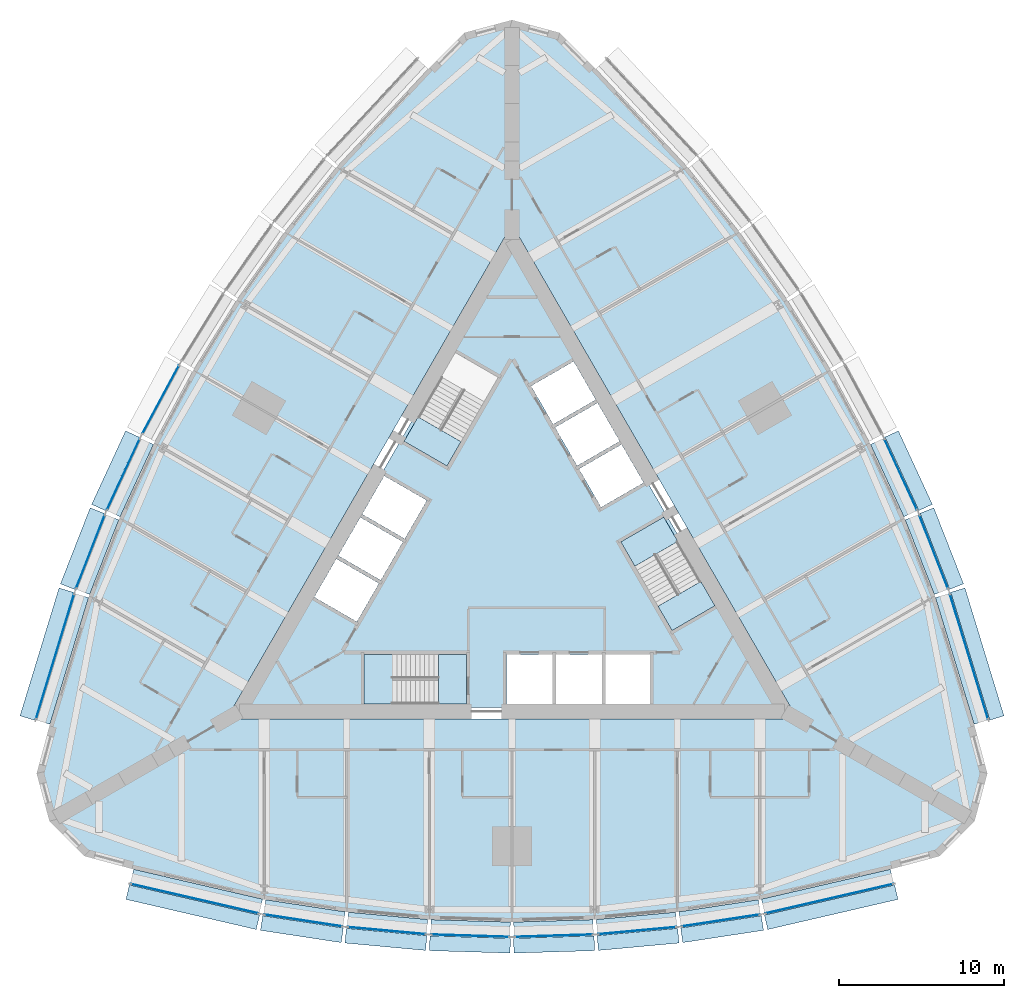
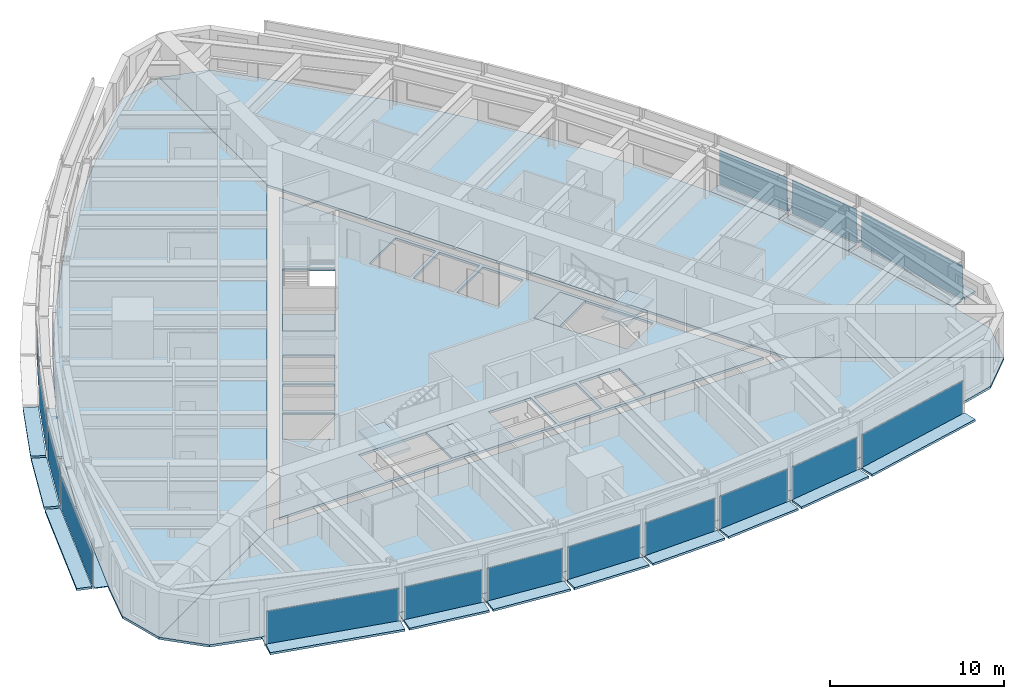
# One storey, part 6 of 14: 43 plates, 9 slabs, 18 elements without a shape of their own.
"""IFC4 building model written with IfcOpenShell, lengths in metres."""

from ifc_helpers import new_model, si_unit, direction, frame, origin, origin_2d, place, context, subcontext, project, spatial, polyline, rectangle, outline, extrude, material, layer, layer_set, type_object, element, aggregate, save


model = new_model("IFC4")

# Units and contexts
model_context = context("Model", 3, precision=1e-05, world=origin(), true_north=direction((0.0, 1.0)))
body_context = subcontext(model_context, "Body", "Model", "MODEL_VIEW")
ifc_project = project(units=[si_unit("LENGTHUNIT", "METRE"), si_unit("AREAUNIT", "SQUARE_METRE"), si_unit("VOLUMEUNIT", "CUBIC_METRE"), si_unit("PLANEANGLEUNIT", "RADIAN"), si_unit("MASSUNIT", "GRAM", prefix="KILO")], contexts=[model_context])

# Site, building, storey
site_placement = place(None, origin())
site = spatial("IfcSite", under=ifc_project, at=site_placement, CompositionType="ELEMENT")
building_placement = place(site_placement, origin())
building = spatial("IfcBuilding", under=site, at=building_placement, Name="Trikona Tower", CompositionType="ELEMENT")
storey_placement = place(building_placement, frame((0.0, 0.0, 99.89990234375)))
storey = spatial("IfcBuildingStorey", under=building, at=storey_placement, Name="L26", CompositionType="ELEMENT", Elevation=99.89990234375)

# Plates
ifc_material_1 = material(Name="Aluminium bar grating", Category="aluminium")
ifc_layer_1 = layer(ifc_material_1, 0.050048828125)
ifc_layer_set_1 = layer_set([ifc_layer_1], Name="Cavity catwalk grating")
plate_type_1 = type_object("IfcPlateType", Name="Cavity catwalk grating", PredefinedType="USERDEFINED", material=ifc_layer_set_1)
plate_1_placement = place(storey_placement, frame((-19.09228515625, -20.377197265625, -0.0498046875), z_axis=(0.0, 0.0, 1.0), x_axis=(0.974277718622, -0.225350675607, 0.0)))
element("IfcPlate", 1, at=plate_1_placement, inside=storey, type_object=plate_type_1, Name="Cavity catwalk L26-00", ObjectType="CATWALK GRATING", PredefinedType="USERDEFINED", context=body_context, shape_type="SweptSolid", body=[
    extrude(rectangle(XDim=8.01123046875, YDim=0.820068359375, at=origin_2d()), origin(), (0.0, 0.0, 1.0), 0.050048828125),
])
plate_2_placement = place(storey_placement, frame((-12.561767578125, -21.688720703125, -0.0498046875), z_axis=(0.0, 0.0, 1.0), x_axis=(0.988617896768, -0.150448177754, 0.0)))
element("IfcPlate", 2, at=plate_2_placement, inside=storey, type_object=plate_type_1, Name="Cavity catwalk L26-01", ObjectType="CATWALK GRATING", PredefinedType="USERDEFINED", context=body_context, shape_type="SweptSolid", body=[
    extrude(rectangle(XDim=4.857666015625, YDim=0.820068359375, at=origin_2d()), origin(), (0.0, 0.0, 1.0), 0.050048828125),
])
plate_3_placement = place(storey_placement, frame((-7.537353515625, -22.300537109375, -0.0498046875), z_axis=(0.0, 0.0, 1.0), x_axis=(0.995858098326, -0.090921108655, 0.0)))
element("IfcPlate", 3, at=plate_3_placement, inside=storey, type_object=plate_type_1, Name="Cavity catwalk L26-02", ObjectType="CATWALK GRATING", PredefinedType="USERDEFINED", context=body_context, shape_type="SweptSolid", body=[
    extrude(rectangle(XDim=4.82080078125, YDim=0.820068359375, at=origin_2d()), origin(), (0.0, 0.0, 1.0), 0.050048828125),
])
for number, where, z_axis, x_axis, name in (
    (4, (-2.512451171875, -22.606201171875, -0.0498046875), (0.0, 0.0, 1.0), (0.999537048889, -0.030425119525, 0.0), "Cavity catwalk L26-03"),
    (5, (2.512451171875, -22.606201171875, -0.0498046875), (0.0, 0.0, 1.0), (0.999537048889, 0.030425119525, 0.0), "Cavity catwalk L26-04"),
):
    element("IfcPlate", number, at=place(storey_placement, frame(where, z_axis=z_axis, x_axis=x_axis)), inside=storey, type_object=plate_type_1, Name=name, ObjectType="CATWALK GRATING", PredefinedType="USERDEFINED", context=body_context, shape_type="SweptSolid", body=[
        extrude(rectangle(XDim=4.80224609375, YDim=0.820068359375, at=origin_2d()), origin(), (0.0, 0.0, 1.0), 0.050048828125),
    ])
plate_4_placement = place(storey_placement, frame((7.537353515625, -22.300537109375, -0.0498046875), z_axis=(0.0, 0.0, 1.0), x_axis=(0.995858098326, 0.090921108655, 0.0)))
element("IfcPlate", 6, at=plate_4_placement, inside=storey, type_object=plate_type_1, Name="Cavity catwalk L26-05", ObjectType="CATWALK GRATING", PredefinedType="USERDEFINED", context=body_context, shape_type="SweptSolid", body=[
    extrude(rectangle(XDim=4.82080078125, YDim=0.820068359375, at=origin_2d()), origin(), (0.0, 0.0, 1.0), 0.050048828125),
])
plate_5_placement = place(storey_placement, frame((12.561767578125, -21.688720703125, -0.0498046875), z_axis=(0.0, 0.0, 1.0), x_axis=(0.988617896768, 0.150448177754, 0.0)))
element("IfcPlate", 7, at=plate_5_placement, inside=storey, type_object=plate_type_1, Name="Cavity catwalk L26-06", ObjectType="CATWALK GRATING", PredefinedType="USERDEFINED", context=body_context, shape_type="SweptSolid", body=[
    extrude(rectangle(XDim=4.857666015625, YDim=0.820068359375, at=origin_2d()), origin(), (0.0, 0.0, 1.0), 0.050048828125),
])
for number, where, z_axis, x_axis, name in (
    (8, (19.09228515625, -20.377197265625, -0.0498046875), (0.0, 0.0, 1.0), (0.974277718622, 0.225350675607, 0.0), "Cavity catwalk L26-07"),
    (9, (27.193359375, -6.345947265625, -0.0498046875), (0.0, 0.0, 1.0), (-0.291979449475, 0.956424592471, 0.0), "Cavity catwalk L26-12"),
):
    element("IfcPlate", number, at=place(storey_placement, frame(where, z_axis=z_axis, x_axis=x_axis)), inside=storey, type_object=plate_type_1, Name=name, ObjectType="CATWALK GRATING", PredefinedType="USERDEFINED", context=body_context, shape_type="SweptSolid", body=[
        extrude(rectangle(XDim=8.01123046875, YDim=0.820068359375, at=origin_2d()), origin(), (0.0, 0.0, 1.0), 0.050048828125),
    ])
plate_6_placement = place(storey_placement, frame((25.06396484375, -0.034423828125, -0.0498046875), z_axis=(0.0, 0.0, 1.0), x_axis=(-0.364008876551, 0.931395478726, 0.0)))
element("IfcPlate", 10, at=plate_6_placement, inside=storey, type_object=plate_type_1, Name="Cavity catwalk L26-13", ObjectType="CATWALK GRATING", PredefinedType="USERDEFINED", context=body_context, shape_type="SweptSolid", body=[
    extrude(rectangle(XDim=4.857666015625, YDim=0.820068359375, at=origin_2d()), origin(), (0.0, 0.0, 1.0), 0.050048828125),
])
for number, where, z_axis, x_axis, name in (
    (11, (23.081298828125, 4.622802734375, -0.0498046875), (0.0, 0.0, 1.0), (-0.41919381307, 0.907896771161, 0.0), "Cavity catwalk L26-14"),
    (12, (-23.081298828125, 4.622802734375, -0.0498046875), (0.0, 0.0, 1.0), (-0.41919381307, -0.907896771161, 0.0), "Cavity catwalk L26-29"),
):
    element("IfcPlate", number, at=place(storey_placement, frame(where, z_axis=z_axis, x_axis=x_axis)), inside=storey, type_object=plate_type_1, Name=name, ObjectType="CATWALK GRATING", PredefinedType="USERDEFINED", context=body_context, shape_type="SweptSolid", body=[
        extrude(rectangle(XDim=4.82080078125, YDim=0.820068359375, at=origin_2d()), origin(), (0.0, 0.0, 1.0), 0.050048828125),
    ])
plate_7_placement = place(storey_placement, frame((-25.06396484375, -0.034423828125, -0.0498046875), z_axis=(0.0, 0.0, 1.0), x_axis=(-0.364008876551, -0.931395478726, 0.0)))
element("IfcPlate", 13, at=plate_7_placement, inside=storey, type_object=plate_type_1, Name="Cavity catwalk L26-30", ObjectType="CATWALK GRATING", PredefinedType="USERDEFINED", context=body_context, shape_type="SweptSolid", body=[
    extrude(rectangle(XDim=4.857666015625, YDim=0.820068359375, at=origin_2d()), origin(), (0.0, 0.0, 1.0), 0.050048828125),
])
plate_8_placement = place(storey_placement, frame((-27.193359375, -6.345947265625, -0.0498046875), z_axis=(0.0, 0.0, 1.0), x_axis=(-0.291979449475, -0.956424592471, 0.0)))
element("IfcPlate", 14, at=plate_8_placement, inside=storey, type_object=plate_type_1, Name="Cavity catwalk L26-31", ObjectType="CATWALK GRATING", PredefinedType="USERDEFINED", context=body_context, shape_type="SweptSolid", body=[
    extrude(rectangle(XDim=8.01123046875, YDim=0.820068359375, at=origin_2d()), origin(), (0.0, 0.0, 1.0), 0.050048828125),
])

# Slabs
ifc_material_2 = material(Name="Concrete f'c 5000 psi lightweight on composite steel deck", Category="concrete")
ifc_layer_2 = layer(ifc_material_2, 0.1650390625)
ifc_layer_set_2 = layer_set([ifc_layer_2], Name="Composite floor slab 165")
slab_type_1 = type_object("IfcSlabType", Name="Composite floor slab 165", PredefinedType="FLOOR", material=ifc_layer_set_2)
slab_1_placement = place(storey_placement, frame((0.0, 0.0, -0.164794921875)))
element("IfcSlab", 15, at=slab_1_placement, inside=storey, type_object=slab_type_1, Name="Floor slab L26 core", PredefinedType="FLOOR", context=body_context, shape_type="SweptSolid", body=[
    extrude(outline(polyline([(-16.06689453125, -9.2763671875), (16.06689453125, -9.2763671875), (0.0, 18.552490234375), (-16.06689453125, -9.2763671875)]), holes=[polyline([(12.285400390625, -3.126220703125), (9.185302734375, 2.2431640625), (6.587158203125, 0.7431640625), (9.687255859375, -4.626220703125), (12.285400390625, -3.126220703125)]), polyline([(8.340087890625, -9.06640625), (8.340087890625, -6.086181640625), (5.659912109375, -6.086181640625), (5.659912109375, -9.06640625), (8.340087890625, -9.06640625)]), polyline([(5.390869140625, 2.835205078125), (7.9716796875, 4.3251953125), (6.631591796875, 6.646240234375), (4.05078125, 5.15625), (5.390869140625, 2.835205078125)]), polyline([(2.600830078125, 7.667724609375), (3.94091796875, 5.3466796875), (6.521484375, 6.8369140625), (5.181640625, 9.15771484375), (2.600830078125, 7.667724609375)]), polyline([(5.43994140625, -6.086181640625), (2.659912109375, -6.086181640625), (2.659912109375, -9.06640625), (5.43994140625, -9.06640625), (5.43994140625, -6.086181640625)]), polyline([(3.731689453125, 11.669189453125), (1.15087890625, 10.17919921875), (2.490966796875, 7.858154296875), (5.071533203125, 9.34814453125), (3.731689453125, 11.669189453125)]), polyline([(-0.340087890625, -6.086181640625), (-0.340087890625, -9.06640625), (2.43994140625, -9.06640625), (2.43994140625, -6.086181640625), (-0.340087890625, -6.086181640625)]), polyline([(-3.435302734375, 12.202392578125), (-6.535400390625, 6.8330078125), (-3.937255859375, 5.3330078125), (-0.837158203125, 10.702392578125), (-3.435302734375, 12.202392578125)]), polyline([(-8.949951171875, -9.076416015625), (-2.75, -9.076416015625), (-2.75, -6.076416015625), (-8.949951171875, -6.076416015625), (-8.949951171875, -9.076416015625)]), polyline([(-5.15087890625, 3.2509765625), (-7.731689453125, 4.740966796875), (-9.071533203125, 2.419921875), (-6.490966796875, 0.929931640625), (-5.15087890625, 3.2509765625)]), polyline([(-7.94091796875, -1.581298828125), (-6.600830078125, 0.739501953125), (-9.181640625, 2.2294921875), (-10.521484375, -0.09130859375), (-7.94091796875, -1.581298828125)]), polyline([(-11.9716796875, -2.602783203125), (-9.390869140625, -4.093017578125), (-8.05078125, -1.77197265625), (-10.631591796875, -0.281982421875), (-11.9716796875, -2.602783203125)])]), origin(), (0.0, 0.0, 1.0), 0.164794921875),
])
slab_2_placement = place(storey_placement, frame((0.0, 0.0, -0.164794921875)))
element("IfcSlab", 16, at=slab_2_placement, inside=storey, type_object=slab_type_1, Name="Floor slab L26 south", PredefinedType="FLOOR", context=body_context, shape_type="SweptSolid", body=[
    extrude(outline(polyline([(25.88671875, -18.279052734375), (28.0, -16.165771484375), (17.279296875, -9.976318359375), (-17.279296875, -9.976318359375), (-28.0, -16.165771484375), (-25.88671875, -18.279052734375), (-23.0, -19.052490234375), (-15.0, -20.903076171875), (-10.0, -21.663818359375), (-5.0, -22.120361328125), (0.0, -22.272705078125), (5.0, -22.120361328125), (10.0, -21.663818359375), (15.0, -20.903076171875), (23.0, -19.052490234375), (25.88671875, -18.279052734375)])), origin(), (0.0, 0.0, 1.0), 0.164794921875),
])
slab_3_placement = place(storey_placement, frame((0.0, 0.0, -0.164794921875)))
element("IfcSlab", 17, at=slab_3_placement, inside=storey, type_object=slab_type_1, Name="Floor slab L26 north-east", PredefinedType="FLOOR", context=body_context, shape_type="SweptSolid", body=[
    extrude(outline(polyline([(2.88671875, 31.55810546875), (0.0, 32.33154296875), (0.0, 19.95263671875), (17.279296875, -9.976318359375), (28.0, -16.165771484375), (28.7734375, -13.279052734375), (28.0, -10.392333984375), (25.6025390625, -2.538818359375), (23.761474609375, 2.171630859375), (21.65673828125, 6.72998046875), (19.28857421875, 11.13623046875), (16.65673828125, 15.390380859375), (13.761474609375, 19.4921875), (10.6025390625, 23.44189453125), (5.0, 29.44482421875), (2.88671875, 31.55810546875)])), origin(), (0.0, 0.0, 1.0), 0.164794921875),
])
slab_4_placement = place(storey_placement, frame((0.0, 0.0, -0.164794921875)))
element("IfcSlab", 18, at=slab_4_placement, inside=storey, type_object=slab_type_1, Name="Floor slab L26 north-west", PredefinedType="FLOOR", context=body_context, shape_type="SweptSolid", body=[
    extrude(outline(polyline([(0.0, 19.95263671875), (0.0, 32.33154296875), (-2.88671875, 31.55810546875), (-5.0, 29.44482421875), (-10.6025390625, 23.44189453125), (-13.761474609375, 19.4921875), (-16.65673828125, 15.390380859375), (-19.28857421875, 11.13623046875), (-21.65673828125, 6.72998046875), (-23.761474609375, 2.171630859375), (-25.6025390625, -2.538818359375), (-28.0, -10.392333984375), (-28.7734375, -13.279052734375), (-28.0, -16.165771484375), (-17.279296875, -9.976318359375), (0.0, 19.95263671875)])), origin(), (0.0, 0.0, 1.0), 0.164794921875),
])

# Curtain wall, plate
ifc_material_3 = material(Name="Aluminium curtain wall system", Category="aluminium")
curtain_wall_type = type_object("IfcCurtainWallType", Name="Curtain wall DS1S", PredefinedType="NOTDEFINED", material=ifc_material_3)
curtain_wall_1_placement = place(storey_placement, origin())
curtain_wall_1 = element("IfcCurtainWall", 19, at=curtain_wall_1_placement, inside=storey, type_object=curtain_wall_type, Name="Curtain wall DS1S L26", PredefinedType="NOTDEFINED")
ifc_material_4 = material(Name="Laminated clear glass", Category="glass")
ifc_layer_3 = layer(ifc_material_4, 0.028076171875)
ifc_layer_set_3 = layer_set([ifc_layer_3], Name="Glass panel DS1S")
plate_type_2 = type_object("IfcPlateType", Name="Glass panel DS1S", PredefinedType="CURTAIN_PANEL", material=ifc_layer_set_3)
plate_9_placement = place(storey_placement, frame((-19.202880859375, -20.854736328125, 0.000244140625), z_axis=(0.0, 0.0, 1.0), x_axis=(0.974279427173, -0.225343288756, 0.0)))
plate_9 = element("IfcPlate", 20, at=plate_9_placement, type_object=plate_type_2, Name="CW-DS1S panel 1.1", PredefinedType="CURTAIN_PANEL", context=body_context, shape_type="SweptSolid", body=[
    extrude(rectangle(XDim=7.93115234375, YDim=0.028076171875, at=origin_2d()), origin(), (0.0, 0.0, 1.0), 2.39990234375),
])
aggregate(curtain_wall_1, [plate_9])

curtain_wall_2_placement = place(storey_placement, origin())
curtain_wall_2 = element("IfcCurtainWall", 21, at=curtain_wall_2_placement, inside=storey, type_object=curtain_wall_type, Name="Curtain wall DS1S L26", PredefinedType="NOTDEFINED")
plate_10_placement = place(storey_placement, frame((-12.635498046875, -22.173095703125, 0.000244140625), z_axis=(0.0, 0.0, 1.0), x_axis=(0.988619492156, -0.150437693845, 0.0)))
plate_10 = element("IfcPlate", 22, at=plate_10_placement, type_object=plate_type_2, Name="CW-DS1S panel 1.1", PredefinedType="CURTAIN_PANEL", context=body_context, shape_type="SweptSolid", body=[
    extrude(rectangle(XDim=4.777587890625, YDim=0.028076171875, at=origin_2d()), origin(), (0.0, 0.0, 1.0), 2.39990234375),
])
aggregate(curtain_wall_2, [plate_10])

curtain_wall_3_placement = place(storey_placement, origin())
curtain_wall_3 = element("IfcCurtainWall", 23, at=curtain_wall_3_placement, inside=storey, type_object=curtain_wall_type, Name="Curtain wall DS1S L26", PredefinedType="NOTDEFINED")
plate_11_placement = place(storey_placement, frame((-7.581787109375, -22.788330078125, 0.000244140625), z_axis=(0.0, 0.0, 1.0), x_axis=(0.995857840485, -0.090923932737, 0.0)))
plate_11 = element("IfcPlate", 24, at=plate_11_placement, type_object=plate_type_2, Name="CW-DS1S panel 1.1", PredefinedType="CURTAIN_PANEL", context=body_context, shape_type="SweptSolid", body=[
    extrude(rectangle(XDim=4.74072265625, YDim=0.028076171875, at=origin_2d()), origin(), (0.0, 0.0, 1.0), 2.39990234375),
])
aggregate(curtain_wall_3, [plate_11])

curtain_wall_4_placement = place(storey_placement, origin())
curtain_wall_4 = element("IfcCurtainWall", 25, at=curtain_wall_4_placement, inside=storey, type_object=curtain_wall_type, Name="Curtain wall DS1S L26", PredefinedType="NOTDEFINED")
plate_12_placement = place(storey_placement, frame((-2.52734375, -23.09619140625, 0.000244140625), z_axis=(0.0, 0.0, 1.0), x_axis=(0.999536695965, -0.030436711692, 0.0)))
plate_12 = element("IfcPlate", 26, at=plate_12_placement, type_object=plate_type_2, Name="CW-DS1S panel 1.1", PredefinedType="CURTAIN_PANEL", context=body_context, shape_type="SweptSolid", body=[
    extrude(rectangle(XDim=4.72216796875, YDim=0.028076171875, at=origin_2d()), origin(), (0.0, 0.0, 1.0), 2.39990234375),
])
aggregate(curtain_wall_4, [plate_12])

curtain_wall_5_placement = place(storey_placement, origin())
curtain_wall_5 = element("IfcCurtainWall", 27, at=curtain_wall_5_placement, inside=storey, type_object=curtain_wall_type, Name="Curtain wall DS1S L26", PredefinedType="NOTDEFINED")
plate_13_placement = place(storey_placement, frame((2.52734375, -23.09619140625, 0.000244140625), z_axis=(0.0, 0.0, 1.0), x_axis=(0.999536695965, 0.030436711692, 0.0)))
plate_13 = element("IfcPlate", 28, at=plate_13_placement, type_object=plate_type_2, Name="CW-DS1S panel 1.1", PredefinedType="CURTAIN_PANEL", context=body_context, shape_type="SweptSolid", body=[
    extrude(rectangle(XDim=4.72216796875, YDim=0.028076171875, at=origin_2d()), origin(), (0.0, 0.0, 1.0), 2.39990234375),
])
aggregate(curtain_wall_5, [plate_13])

curtain_wall_6_placement = place(storey_placement, origin())
curtain_wall_6 = element("IfcCurtainWall", 29, at=curtain_wall_6_placement, inside=storey, type_object=curtain_wall_type, Name="Curtain wall DS1S L26", PredefinedType="NOTDEFINED")
plate_14_placement = place(storey_placement, frame((7.581787109375, -22.788330078125, 0.000244140625), z_axis=(0.0, 0.0, 1.0), x_axis=(0.995857840485, 0.090923932737, 0.0)))
plate_14 = element("IfcPlate", 30, at=plate_14_placement, type_object=plate_type_2, Name="CW-DS1S panel 1.1", PredefinedType="CURTAIN_PANEL", context=body_context, shape_type="SweptSolid", body=[
    extrude(rectangle(XDim=4.74072265625, YDim=0.028076171875, at=origin_2d()), origin(), (0.0, 0.0, 1.0), 2.39990234375),
])
aggregate(curtain_wall_6, [plate_14])

curtain_wall_7_placement = place(storey_placement, origin())
curtain_wall_7 = element("IfcCurtainWall", 31, at=curtain_wall_7_placement, inside=storey, type_object=curtain_wall_type, Name="Curtain wall DS1S L26", PredefinedType="NOTDEFINED")
plate_15_placement = place(storey_placement, frame((12.635498046875, -22.173095703125, 0.000244140625), z_axis=(0.0, 0.0, 1.0), x_axis=(0.988619492156, 0.150437693845, 0.0)))
plate_15 = element("IfcPlate", 32, at=plate_15_placement, type_object=plate_type_2, Name="CW-DS1S panel 1.1", PredefinedType="CURTAIN_PANEL", context=body_context, shape_type="SweptSolid", body=[
    extrude(rectangle(XDim=4.777587890625, YDim=0.028076171875, at=origin_2d()), origin(), (0.0, 0.0, 1.0), 2.39990234375),
])
aggregate(curtain_wall_7, [plate_15])

curtain_wall_8_placement = place(storey_placement, origin())
curtain_wall_8 = element("IfcCurtainWall", 33, at=curtain_wall_8_placement, inside=storey, type_object=curtain_wall_type, Name="Curtain wall DS1S L26", PredefinedType="NOTDEFINED")
plate_16_placement = place(storey_placement, frame((19.202880859375, -20.854736328125, 0.000244140625), z_axis=(0.0, 0.0, 1.0), x_axis=(0.974279427173, 0.225343288756, 0.0)))
plate_16 = element("IfcPlate", 34, at=plate_16_placement, type_object=plate_type_2, Name="CW-DS1S panel 1.1", PredefinedType="CURTAIN_PANEL", context=body_context, shape_type="SweptSolid", body=[
    extrude(rectangle(XDim=7.93115234375, YDim=0.028076171875, at=origin_2d()), origin(), (0.0, 0.0, 1.0), 2.39990234375),
])
aggregate(curtain_wall_8, [plate_16])

curtain_wall_9_placement = place(storey_placement, origin())
curtain_wall_9 = element("IfcCurtainWall", 35, at=curtain_wall_9_placement, inside=storey, type_object=curtain_wall_type, Name="Curtain wall DS1S L26", PredefinedType="NOTDEFINED")
plate_17_placement = place(storey_placement, frame((27.662109375, -6.202880859375, 0.000244140625), z_axis=(0.0, 0.0, 1.0), x_axis=(-0.291984287868, 0.956423115383, 0.0)))
plate_17 = element("IfcPlate", 36, at=plate_17_placement, type_object=plate_type_2, Name="CW-DS1S panel 1.1", PredefinedType="CURTAIN_PANEL", context=body_context, shape_type="SweptSolid", body=[
    extrude(rectangle(XDim=7.93115234375, YDim=0.028076171875, at=origin_2d()), origin(), (0.0, 0.0, 1.0), 2.39990234375),
])
aggregate(curtain_wall_9, [plate_17])

curtain_wall_10_placement = place(storey_placement, origin())
curtain_wall_10 = element("IfcCurtainWall", 37, at=curtain_wall_10_placement, inside=storey, type_object=curtain_wall_type, Name="Curtain wall DS1S L26", PredefinedType="NOTDEFINED")
plate_18_placement = place(storey_placement, frame((25.520263671875, 0.14404296875, 0.000244140625), z_axis=(0.0, 0.0, 1.0), x_axis=(-0.36400756977, 0.931395989443, 0.0)))
plate_18 = element("IfcPlate", 38, at=plate_18_placement, type_object=plate_type_2, Name="CW-DS1S panel 1.1", PredefinedType="CURTAIN_PANEL", context=body_context, shape_type="SweptSolid", body=[
    extrude(rectangle(XDim=4.777587890625, YDim=0.028076171875, at=origin_2d()), origin(), (0.0, 0.0, 1.0), 2.39990234375),
])
aggregate(curtain_wall_10, [plate_18])

curtain_wall_11_placement = place(storey_placement, origin())
curtain_wall_11 = element("IfcCurtainWall", 39, at=curtain_wall_11_placement, inside=storey, type_object=curtain_wall_type, Name="Curtain wall DS1S L26", PredefinedType="NOTDEFINED")
plate_19_placement = place(storey_placement, frame((23.5263671875, 4.828125, 0.000244140625), z_axis=(0.0, 0.0, 1.0), x_axis=(-0.419190155352, 0.907898459992, 0.0)))
plate_19 = element("IfcPlate", 40, at=plate_19_placement, type_object=plate_type_2, Name="CW-DS1S panel 1.1", PredefinedType="CURTAIN_PANEL", context=body_context, shape_type="SweptSolid", body=[
    extrude(rectangle(XDim=4.740966796875, YDim=0.028076171875, at=origin_2d()), origin(), (0.0, 0.0, 1.0), 2.39990234375),
])
aggregate(curtain_wall_11, [plate_19])

curtain_wall_12_placement = place(storey_placement, origin())
curtain_wall_12 = element("IfcCurtainWall", 41, at=curtain_wall_12_placement, inside=storey, type_object=curtain_wall_type, Name="Curtain wall DS1S L26", PredefinedType="NOTDEFINED")
plate_20_placement = place(storey_placement, frame((-21.265380859375, 9.359130859375, 0.000244140625), z_axis=(0.0, 0.0, 1.0), x_axis=(-0.473408350896, -0.880843080975, 0.0)))
plate_20 = element("IfcPlate", 42, at=plate_20_placement, type_object=plate_type_2, Name="CW-DS1S panel 1.1", PredefinedType="CURTAIN_PANEL", context=body_context, shape_type="SweptSolid", body=[
    extrude(rectangle(XDim=4.72216796875, YDim=0.028076171875, at=origin_2d()), origin(), (0.0, 0.0, 1.0), 2.39990234375),
])
aggregate(curtain_wall_12, [plate_20])

curtain_wall_13_placement = place(storey_placement, origin())
curtain_wall_13 = element("IfcCurtainWall", 43, at=curtain_wall_13_placement, inside=storey, type_object=curtain_wall_type, Name="Curtain wall DS1S L26", PredefinedType="NOTDEFINED")
plate_21_placement = place(storey_placement, frame((-23.5263671875, 4.828125, 0.000244140625), z_axis=(0.0, 0.0, 1.0), x_axis=(-0.419190155352, -0.907898459992, 0.0)))
plate_21 = element("IfcPlate", 44, at=plate_21_placement, type_object=plate_type_2, Name="CW-DS1S panel 1.1", PredefinedType="CURTAIN_PANEL", context=body_context, shape_type="SweptSolid", body=[
    extrude(rectangle(XDim=4.740966796875, YDim=0.028076171875, at=origin_2d()), origin(), (0.0, 0.0, 1.0), 2.39990234375),
])
aggregate(curtain_wall_13, [plate_21])

curtain_wall_14_placement = place(storey_placement, origin())
curtain_wall_14 = element("IfcCurtainWall", 45, at=curtain_wall_14_placement, inside=storey, type_object=curtain_wall_type, Name="Curtain wall DS1S L26", PredefinedType="NOTDEFINED")
plate_22_placement = place(storey_placement, frame((-25.520263671875, 0.14404296875, 0.000244140625), z_axis=(0.0, 0.0, 1.0), x_axis=(-0.36400756977, -0.931395989443, 0.0)))
plate_22 = element("IfcPlate", 46, at=plate_22_placement, type_object=plate_type_2, Name="CW-DS1S panel 1.1", PredefinedType="CURTAIN_PANEL", context=body_context, shape_type="SweptSolid", body=[
    extrude(rectangle(XDim=4.777587890625, YDim=0.028076171875, at=origin_2d()), origin(), (0.0, 0.0, 1.0), 2.39990234375),
])
aggregate(curtain_wall_14, [plate_22])

curtain_wall_15_placement = place(storey_placement, origin())
curtain_wall_15 = element("IfcCurtainWall", 47, at=curtain_wall_15_placement, inside=storey, type_object=curtain_wall_type, Name="Curtain wall DS1S L26", PredefinedType="NOTDEFINED")
plate_23_placement = place(storey_placement, frame((-27.662109375, -6.202880859375, 0.000244140625), z_axis=(0.0, 0.0, 1.0), x_axis=(-0.291984287868, -0.956423115383, 0.0)))
plate_23 = element("IfcPlate", 48, at=plate_23_placement, type_object=plate_type_2, Name="CW-DS1S panel 1.1", PredefinedType="CURTAIN_PANEL", context=body_context, shape_type="SweptSolid", body=[
    extrude(rectangle(XDim=7.93115234375, YDim=0.028076171875, at=origin_2d()), origin(), (0.0, 0.0, 1.0), 2.39990234375),
])
aggregate(curtain_wall_15, [plate_23])

# Plates
ifc_material_5 = material(Name="Aluminium plate fin, pale anodised, on stainless steel outriggers", Category="steel")
ifc_layer_4 = layer(ifc_material_5, 0.14990234375)
ifc_layer_set_4 = layer_set([ifc_layer_4], Name="Outer skin fin 900")
plate_type_3 = type_object("IfcPlateType", Name="Outer skin fin 900", PredefinedType="USERDEFINED", material=ifc_layer_set_4)
plate_24_placement = place(storey_placement, frame((-19.322265625, -21.37109375, 0.000244140625), z_axis=(0.0, 0.0, 1.0), x_axis=(0.974277718622, -0.225350675607, 0.0)))
element("IfcPlate", 49, at=plate_24_placement, inside=storey, type_object=plate_type_3, Name="Outer skin fin L26-00", ObjectType="FIN", PredefinedType="USERDEFINED", context=body_context, shape_type="SweptSolid", body=[
    extrude(rectangle(XDim=8.09130859375, YDim=0.89990234375, at=origin_2d()), origin(), (0.0, 0.0, 1.0), 0.14990234375),
])
plate_25_placement = place(storey_placement, frame((-12.715087890625, -22.697265625, 0.000244140625), z_axis=(0.0, 0.0, 1.0), x_axis=(0.988617896768, -0.150448177754, 0.0)))
element("IfcPlate", 50, at=plate_25_placement, inside=storey, type_object=plate_type_3, Name="Outer skin fin L26-01", ObjectType="FIN", PredefinedType="USERDEFINED", context=body_context, shape_type="SweptSolid", body=[
    extrude(rectangle(XDim=4.9375, YDim=0.89990234375, at=origin_2d()), origin(), (0.0, 0.0, 1.0), 0.14990234375),
])
plate_26_placement = place(storey_placement, frame((-7.6298828125, -23.316162109375, 0.000244140625), z_axis=(0.0, 0.0, 1.0), x_axis=(0.995858098326, -0.090921108655, 0.0)))
element("IfcPlate", 51, at=plate_26_placement, inside=storey, type_object=plate_type_3, Name="Outer skin fin L26-02", ObjectType="FIN", PredefinedType="USERDEFINED", context=body_context, shape_type="SweptSolid", body=[
    extrude(rectangle(XDim=4.90087890625, YDim=0.89990234375, at=origin_2d()), origin(), (0.0, 0.0, 1.0), 0.14990234375),
])
for number, where, z_axis, x_axis, name in (
    (52, (-2.54345703125, -23.625732421875, 0.000244140625), (0.0, 0.0, 1.0), (0.999537048889, -0.030425119525, 0.0), "Outer skin fin L26-03"),
    (53, (2.54345703125, -23.625732421875, 0.000244140625), (0.0, 0.0, 1.0), (0.999537048889, 0.030425119525, 0.0), "Outer skin fin L26-04"),
):
    element("IfcPlate", number, at=place(storey_placement, frame(where, z_axis=z_axis, x_axis=x_axis)), inside=storey, type_object=plate_type_3, Name=name, ObjectType="FIN", PredefinedType="USERDEFINED", context=body_context, shape_type="SweptSolid", body=[
        extrude(rectangle(XDim=4.88232421875, YDim=0.89990234375, at=origin_2d()), origin(), (0.0, 0.0, 1.0), 0.14990234375),
    ])
plate_27_placement = place(storey_placement, frame((7.6298828125, -23.316162109375, 0.000244140625), z_axis=(0.0, 0.0, 1.0), x_axis=(0.995858098326, 0.090921108655, 0.0)))
element("IfcPlate", 54, at=plate_27_placement, inside=storey, type_object=plate_type_3, Name="Outer skin fin L26-05", ObjectType="FIN", PredefinedType="USERDEFINED", context=body_context, shape_type="SweptSolid", body=[
    extrude(rectangle(XDim=4.90087890625, YDim=0.89990234375, at=origin_2d()), origin(), (0.0, 0.0, 1.0), 0.14990234375),
])
plate_28_placement = place(storey_placement, frame((12.715087890625, -22.697265625, 0.000244140625), z_axis=(0.0, 0.0, 1.0), x_axis=(0.988617896768, 0.150448177754, 0.0)))
element("IfcPlate", 55, at=plate_28_placement, inside=storey, type_object=plate_type_3, Name="Outer skin fin L26-06", ObjectType="FIN", PredefinedType="USERDEFINED", context=body_context, shape_type="SweptSolid", body=[
    extrude(rectangle(XDim=4.9375, YDim=0.89990234375, at=origin_2d()), origin(), (0.0, 0.0, 1.0), 0.14990234375),
])
for number, where, z_axis, x_axis, name in (
    (56, (19.322265625, -21.37109375, 0.000244140625), (0.0, 0.0, 1.0), (0.974277718622, 0.225350675607, 0.0), "Outer skin fin L26-07"),
    (57, (28.1689453125, -6.048095703125, 0.000244140625), (0.0, 0.0, 1.0), (-0.291979449475, 0.956424592471, 0.0), "Outer skin fin L26-12"),
):
    element("IfcPlate", number, at=place(storey_placement, frame(where, z_axis=z_axis, x_axis=x_axis)), inside=storey, type_object=plate_type_3, Name=name, ObjectType="FIN", PredefinedType="USERDEFINED", context=body_context, shape_type="SweptSolid", body=[
        extrude(rectangle(XDim=8.09130859375, YDim=0.89990234375, at=origin_2d()), origin(), (0.0, 0.0, 1.0), 0.14990234375),
    ])
plate_29_placement = place(storey_placement, frame((26.013916015625, 0.3369140625, 0.000244140625), z_axis=(0.0, 0.0, 1.0), x_axis=(-0.364008876551, 0.931395478726, 0.0)))
element("IfcPlate", 58, at=plate_29_placement, inside=storey, type_object=plate_type_3, Name="Outer skin fin L26-13", ObjectType="FIN", PredefinedType="USERDEFINED", context=body_context, shape_type="SweptSolid", body=[
    extrude(rectangle(XDim=4.9375, YDim=0.89990234375, at=origin_2d()), origin(), (0.0, 0.0, 1.0), 0.14990234375),
])
for number, where, z_axis, x_axis, name in (
    (59, (24.00732421875, 5.05029296875, 0.000244140625), (0.0, 0.0, 1.0), (-0.41919381307, 0.907896771161, 0.0), "Outer skin fin L26-14"),
    (60, (-24.00732421875, 5.05029296875, 0.000244140625), (0.0, 0.0, 1.0), (-0.41919381307, -0.907896771161, 0.0), "Outer skin fin L26-29"),
):
    element("IfcPlate", number, at=place(storey_placement, frame(where, z_axis=z_axis, x_axis=x_axis)), inside=storey, type_object=plate_type_3, Name=name, ObjectType="FIN", PredefinedType="USERDEFINED", context=body_context, shape_type="SweptSolid", body=[
        extrude(rectangle(XDim=4.90087890625, YDim=0.89990234375, at=origin_2d()), origin(), (0.0, 0.0, 1.0), 0.14990234375),
    ])
plate_30_placement = place(storey_placement, frame((-26.013916015625, 0.3369140625, 0.000244140625), z_axis=(0.0, 0.0, 1.0), x_axis=(-0.364008876551, -0.931395478726, 0.0)))
element("IfcPlate", 61, at=plate_30_placement, inside=storey, type_object=plate_type_3, Name="Outer skin fin L26-30", ObjectType="FIN", PredefinedType="USERDEFINED", context=body_context, shape_type="SweptSolid", body=[
    extrude(rectangle(XDim=4.9375, YDim=0.89990234375, at=origin_2d()), origin(), (0.0, 0.0, 1.0), 0.14990234375),
])
plate_31_placement = place(storey_placement, frame((-28.1689453125, -6.048095703125, 0.000244140625), z_axis=(0.0, 0.0, 1.0), x_axis=(-0.291979449475, -0.956424592471, 0.0)))
element("IfcPlate", 62, at=plate_31_placement, inside=storey, type_object=plate_type_3, Name="Outer skin fin L26-31", ObjectType="FIN", PredefinedType="USERDEFINED", context=body_context, shape_type="SweptSolid", body=[
    extrude(rectangle(XDim=8.09130859375, YDim=0.89990234375, at=origin_2d()), origin(), (0.0, 0.0, 1.0), 0.14990234375),
])

# Stair, slabs
ifc_material_6 = material(Name="Concrete f'c 5000 psi", Category="concrete")
stair_type = type_object("IfcStairType", Name="Core stair", PredefinedType="HALF_TURN_STAIR", material=ifc_material_6)
stair_1_placement = place(storey_placement, origin())
stair_1 = element("IfcStair", 63, at=stair_1_placement, inside=storey, type_object=stair_type, Name="Stair A L26", PredefinedType="HALF_TURN_STAIR")
ifc_material_7 = material(Name="Concrete f'c 5000 psi", Category="concrete")
ifc_layer_5 = layer(ifc_material_7, 0.199951171875)
ifc_layer_set_5 = layer_set([ifc_layer_5], Name="Stair landing 200")
slab_type_2 = type_object("IfcSlabType", Name="Stair landing 200", PredefinedType="LANDING", material=ifc_layer_set_5)
slab_5_placement = place(storey_placement, frame((0.0, 0.0, -0.199951171875)))
slab_5 = element("IfcSlab", 64, at=slab_5_placement, type_object=slab_type_2, Name="ST-A landing 1", PredefinedType="LANDING", context=body_context, shape_type="SweptSolid", body=[
    extrude(outline(polyline([(-4.452880859375, -6.076416015625), (-2.75, -6.076416015625), (-2.75, -9.076416015625), (-4.452880859375, -9.076416015625), (-4.452880859375, -6.076416015625)])), origin(), (0.0, 0.0, 1.0), 0.199951171875),
])
slab_6_placement = place(storey_placement, frame((0.0, 0.0, 1.5)))
slab_6 = element("IfcSlab", 65, at=slab_6_placement, type_object=slab_type_2, Name="ST-A landing 2", PredefinedType="LANDING", context=body_context, shape_type="SweptSolid", body=[
    extrude(outline(polyline([(-8.949951171875, -6.076416015625), (-7.2470703125, -6.076416015625), (-7.2470703125, -9.076416015625), (-8.949951171875, -9.076416015625), (-8.949951171875, -6.076416015625)])), origin(), (0.0, 0.0, 1.0), 0.2001953125),
])
aggregate(stair_1, [slab_5, slab_6])

stair_2_placement = place(storey_placement, origin())
stair_2 = element("IfcStair", 66, at=stair_2_placement, inside=storey, type_object=stair_type, Name="Stair B L26", PredefinedType="HALF_TURN_STAIR")
slab_7_placement = place(storey_placement, frame((0.0, 0.0, -0.199951171875)))
slab_7 = element("IfcSlab", 67, at=slab_7_placement, type_object=slab_type_2, Name="ST-B landing 1", PredefinedType="LANDING", context=body_context, shape_type="SweptSolid", body=[
    extrude(outline(polyline([(7.438720703125, -0.731689453125), (6.587158203125, 0.7431640625), (9.185302734375, 2.2431640625), (10.036865234375, 0.768310546875), (7.438720703125, -0.731689453125)])), origin(), (0.0, 0.0, 1.0), 0.199951171875),
])
slab_8_placement = place(storey_placement, frame((0.0, 0.0, 1.5)))
slab_8 = element("IfcSlab", 68, at=slab_8_placement, type_object=slab_type_2, Name="ST-B landing 2", PredefinedType="LANDING", context=body_context, shape_type="SweptSolid", body=[
    extrude(outline(polyline([(9.687255859375, -4.626220703125), (8.835693359375, -3.1513671875), (11.433837890625, -1.6513671875), (12.285400390625, -3.126220703125), (9.687255859375, -4.626220703125)])), origin(), (0.0, 0.0, 1.0), 0.2001953125),
])
aggregate(stair_2, [slab_7, slab_8])

# Stair, slab
stair_3_placement = place(storey_placement, origin())
stair_3 = element("IfcStair", 69, at=stair_3_placement, inside=storey, type_object=stair_type, Name="Stair C L26", PredefinedType="HALF_TURN_STAIR")
slab_9_placement = place(storey_placement, frame((0.0, 0.0, -0.199951171875)))
slab_9 = element("IfcSlab", 70, at=slab_9_placement, type_object=slab_type_2, Name="ST-C landing 1", PredefinedType="LANDING", context=body_context, shape_type="SweptSolid", body=[
    extrude(outline(polyline([(-3.085693359375, 6.807861328125), (-3.937255859375, 5.3330078125), (-6.535400390625, 6.8330078125), (-5.683837890625, 8.307861328125), (-3.085693359375, 6.807861328125)])), origin(), (0.0, 0.0, 1.0), 0.199951171875),
])
aggregate(stair_3, [slab_9])

save(model, "model.ifc")
